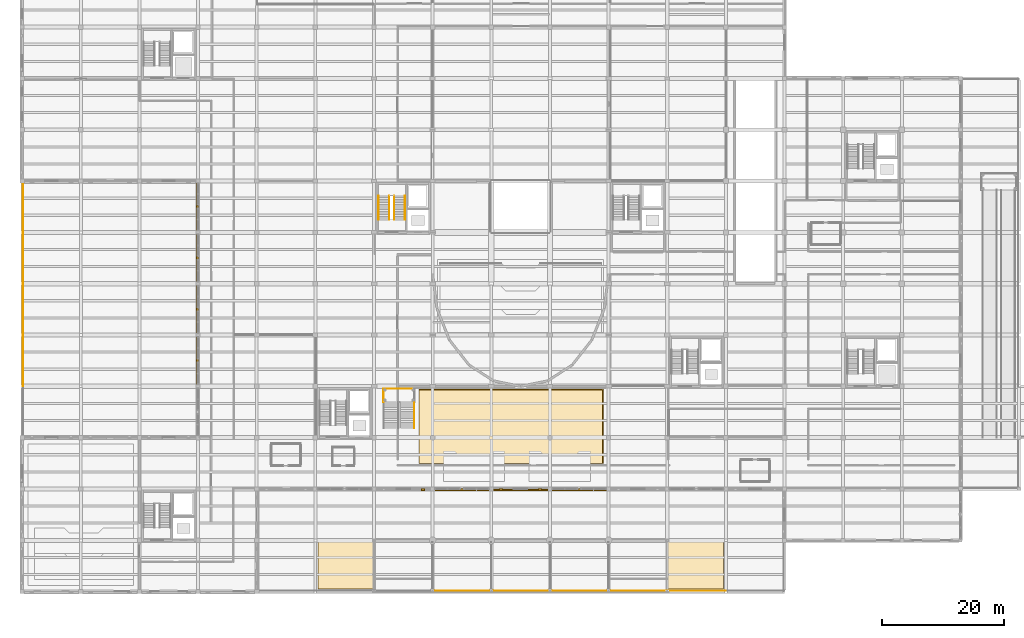
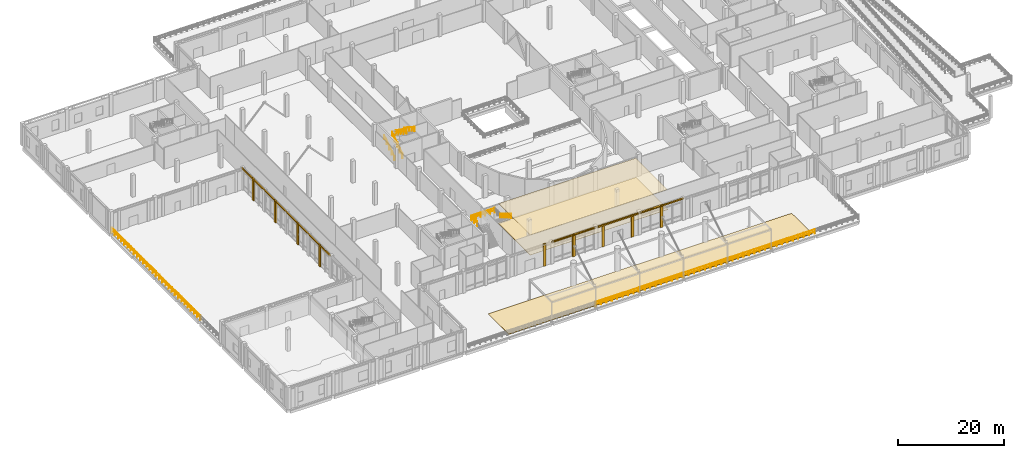
# One storey, part 63 of 71: 19 coverings, 16 railings.
"""IFC4 building model written with IfcOpenShell, lengths in metres."""

from ifc_helpers import new_model, si_unit, direction, frame, origin, origin_2d, place, context, subcontext, project, spatial, polyline, circle, outline, extrude, material, layer, layer_set, type_object, element, save


model = new_model("IFC4")

# Units and contexts
model_context = context("Model", 3, precision=1e-05, world=origin(), true_north=direction((0.0, 1.0)))
body_context = subcontext(model_context, "Body", "Model", "MODEL_VIEW")
ifc_project = project(units=[si_unit("LENGTHUNIT", "METRE"), si_unit("AREAUNIT", "SQUARE_METRE"), si_unit("VOLUMEUNIT", "CUBIC_METRE"), si_unit("PLANEANGLEUNIT", "RADIAN"), si_unit("MASSUNIT", "GRAM", prefix="KILO")], contexts=[model_context])

# Site, building, storey
site_placement = place(None, origin())
site = spatial("IfcSite", under=ifc_project, at=site_placement, CompositionType="ELEMENT")
building_placement = place(site_placement, origin())
building = spatial("IfcBuilding", under=site, at=building_placement, Name="Lornevale Opera House", CompositionType="ELEMENT")
storey_placement = place(building_placement, origin())
storey = spatial("IfcBuildingStorey", under=building, at=storey_placement, Name="L01", CompositionType="ELEMENT", Elevation=0.0)

# Railings
ifc_material_1 = material(Name="Structural Steel CSA G40.21 Grade 350W (350 MPa)", Category="steel")
ifc_layer_1 = layer(ifc_material_1, 0.06005859375)
ifc_layer_set_1 = layer_set([ifc_layer_1], Name="Structural Steel CSA G40.21 Grade 350W (350 MPa)")
railing_type_1 = type_object("IfcRailingType", Name="Atrium Acoustic Balustrade 1120", PredefinedType="BALUSTRADE", material=ifc_layer_set_1)
railing_1_placement = place(storey_placement, frame((59.14990234375, 33.219970703125, 2.699951171875)))
element("IfcRailing", 1, at=railing_1_placement, inside=storey, type_object=railing_type_1, Name="Grand Stair Landing Guard 0207", PredefinedType="BALUSTRADE", context=body_context, shape_type="SweptSolid", body=[
    extrude(circle(Radius=0.02392578125, at=origin_2d()), frame((0.0, 0.0, 1.09619140625), z_axis=(1.0, 0.0, 0.0), x_axis=(0.0, 1.0, 0.0)), (0.0, 0.0, 1.0), 5.10009765625),
    extrude(circle(Radius=0.02392578125, at=origin_2d()), frame((0.0, 0.0, 0.56005859375), z_axis=(1.0, 0.0, 0.0), x_axis=(0.0, 1.0, 0.0)), (0.0, 0.0, 1.0), 5.10009765625),
    extrude(circle(Radius=0.02099609375, at=origin_2d()), origin(), (0.0, 0.0, 1.0), 1.072021484375),
    extrude(circle(Radius=0.02099609375, at=origin_2d()), frame((1.02001953125, 0.0, 0.0)), (0.0, 0.0, 1.0), 1.072021484375),
    extrude(circle(Radius=0.02099609375, at=origin_2d()), frame((2.0400390625, 0.0, 0.0)), (0.0, 0.0, 1.0), 1.072021484375),
    extrude(circle(Radius=0.02099609375, at=origin_2d()), frame((3.06005859375, 0.0, 0.0)), (0.0, 0.0, 1.0), 1.072021484375),
    extrude(circle(Radius=0.02099609375, at=origin_2d()), frame((4.080078125, 0.0, 0.0)), (0.0, 0.0, 1.0), 1.072021484375),
    extrude(circle(Radius=0.02099609375, at=origin_2d()), frame((5.10009765625, 0.0, 0.0)), (0.0, 0.0, 1.0), 1.072021484375),
])
railing_2_placement = place(storey_placement, frame((59.14990234375, 31.0, 2.699951171875)))
element("IfcRailing", 2, at=railing_2_placement, inside=storey, type_object=railing_type_1, Name="Grand Stair Landing Guard 0208", PredefinedType="BALUSTRADE", context=body_context, shape_type="SweptSolid", body=[
    extrude(circle(Radius=0.02392578125, at=origin_2d()), frame((0.0, 0.0, 1.09619140625), z_axis=(0.0, 1.0, 0.0), x_axis=(-1.0, 0.0, 0.0)), (0.0, 0.0, 1.0), 2.219970703125),
    extrude(circle(Radius=0.02392578125, at=origin_2d()), frame((0.0, 0.0, 0.56005859375), z_axis=(0.0, 1.0, 0.0), x_axis=(-1.0, 0.0, 0.0)), (0.0, 0.0, 1.0), 2.219970703125),
    extrude(circle(Radius=0.02099609375, at=origin_2d()), origin(), (0.0, 0.0, 1.0), 1.072021484375),
    extrude(circle(Radius=0.02099609375, at=origin_2d()), frame((0.0, 1.10986328125, 0.0)), (0.0, 0.0, 1.0), 1.072021484375),
    extrude(circle(Radius=0.02099609375, at=origin_2d()), frame((0.0, 2.219970703125, 0.0)), (0.0, 0.0, 1.0), 1.072021484375),
])

# Coverings
ifc_material_2 = material(Name="Precast Concrete 40 MPa (CSA A23.1 C-1)", Category="concrete")
ifc_layer_2 = layer(ifc_material_2, 0.260009765625)
ifc_layer_set_2 = layer_set([ifc_layer_2], Name="Precast Concrete 40 MPa (CSA A23.1 C-1)")
covering_type_1 = type_object("IfcCoveringType", Name="Postmodern Sandstone Pilaster Rib", PredefinedType="CLADDING", material=ifc_layer_set_2)
covering_1_placement = place(storey_placement, origin())
element("IfcCovering", 3, at=covering_1_placement, inside=storey, type_object=covering_type_1, Name="Postmodern Sandstone Mullion Pier 0069", PredefinedType="CLADDING", context=body_context, shape_type="SweptSolid", body=[
    extrude(outline(polyline([(28.800048828125, 37.52001953125), (28.800048828125, 38.080078125), (28.52001953125, 38.080078125), (28.52001953125, 37.52001953125), (28.800048828125, 37.52001953125)])), origin(), (0.0, 0.0, 1.0), 5.10009765625),
])
covering_2_placement = place(storey_placement, origin())
element("IfcCovering", 4, at=covering_2_placement, inside=storey, type_object=covering_type_1, Name="Postmodern Sandstone Mullion Pier 0071", PredefinedType="CLADDING", context=body_context, shape_type="SweptSolid", body=[
    extrude(outline(polyline([(28.800048828125, 45.919921875), (28.800048828125, 46.47998046875), (28.52001953125, 46.47998046875), (28.52001953125, 45.919921875), (28.800048828125, 45.919921875)])), origin(), (0.0, 0.0, 1.0), 5.10009765625),
])
covering_3_placement = place(storey_placement, origin())
element("IfcCovering", 5, at=covering_3_placement, inside=storey, type_object=covering_type_1, Name="Postmodern Sandstone Mullion Pier 0073", PredefinedType="CLADDING", context=body_context, shape_type="SweptSolid", body=[
    extrude(outline(polyline([(28.800048828125, 54.320068359375), (28.800048828125, 54.8798828125), (28.52001953125, 54.8798828125), (28.52001953125, 54.320068359375), (28.800048828125, 54.320068359375)])), origin(), (0.0, 0.0, 1.0), 5.10009765625),
])
covering_4_placement = place(storey_placement, origin())
element("IfcCovering", 6, at=covering_4_placement, inside=storey, type_object=covering_type_1, Name="Postmodern Sandstone Mullion Pier 0075", PredefinedType="CLADDING", context=body_context, shape_type="SweptSolid", body=[
    extrude(outline(polyline([(28.800048828125, 62.719970703125), (28.800048828125, 63.280029296875), (28.52001953125, 63.280029296875), (28.52001953125, 62.719970703125), (28.800048828125, 62.719970703125)])), origin(), (0.0, 0.0, 1.0), 5.10009765625),
])
covering_5_placement = place(storey_placement, origin())
element("IfcCovering", 7, at=covering_5_placement, inside=storey, type_object=covering_type_1, Name="Postmodern Sandstone Pilaster 0094", PredefinedType="CLADDING", context=body_context, shape_type="SweptSolid", body=[
    extrude(outline(polyline([(65.884033203125, 16.800048828125), (65.323974609375, 16.800048828125), (65.323974609375, 16.52001953125), (65.884033203125, 16.52001953125), (65.884033203125, 16.800048828125)])), origin(), (0.0, 0.0, 1.0), 5.10009765625),
])
covering_6_placement = place(storey_placement, origin())
element("IfcCovering", 8, at=covering_6_placement, inside=storey, type_object=covering_type_1, Name="Postmodern Sandstone Mullion Pier 0100", PredefinedType="CLADDING", context=body_context, shape_type="SweptSolid", body=[
    extrude(outline(polyline([(72.280029296875, 16.800048828125), (71.719970703125, 16.800048828125), (71.719970703125, 16.52001953125), (72.280029296875, 16.52001953125), (72.280029296875, 16.800048828125)])), origin(), (0.0, 0.0, 1.0), 5.10009765625),
])
covering_7_placement = place(storey_placement, origin())
element("IfcCovering", 9, at=covering_7_placement, inside=storey, type_object=covering_type_1, Name="Postmodern Sandstone Pilaster 0105", PredefinedType="CLADDING", context=body_context, shape_type="SweptSolid", body=[
    extrude(outline(polyline([(85.083984375, 16.800048828125), (84.52392578125, 16.800048828125), (84.52392578125, 16.52001953125), (85.083984375, 16.52001953125), (85.083984375, 16.800048828125)])), origin(), (0.0, 0.0, 1.0), 5.10009765625),
])
covering_8_placement = place(storey_placement, origin())
element("IfcCovering", 10, at=covering_8_placement, inside=storey, type_object=covering_type_1, Name="Postmodern Sandstone Pilaster 0106", PredefinedType="CLADDING", context=body_context, shape_type="SweptSolid", body=[
    extrude(outline(polyline([(78.676025390625, 16.800048828125), (78.115966796875, 16.800048828125), (78.115966796875, 16.52001953125), (78.676025390625, 16.52001953125), (78.676025390625, 16.800048828125)])), origin(), (0.0, 0.0, 1.0), 5.10009765625),
])
covering_9_placement = place(storey_placement, origin())
element("IfcCovering", 11, at=covering_9_placement, inside=storey, type_object=covering_type_1, Name="Postmodern Sandstone Mullion Pier 0111", PredefinedType="CLADDING", context=body_context, shape_type="SweptSolid", body=[
    extrude(outline(polyline([(91.47998046875, 16.800048828125), (90.919921875, 16.800048828125), (90.919921875, 16.52001953125), (91.47998046875, 16.52001953125), (91.47998046875, 16.800048828125)])), origin(), (0.0, 0.0, 1.0), 5.10009765625),
])
ifc_material_3 = material(Name="Queenston Buff Limestone Ashlar Masonry (25 MPa)", Category="masonry")
ifc_layer_3 = layer(ifc_material_3, 0.1201171875)
ifc_layer_set_3 = layer_set([ifc_layer_3], Name="Queenston Buff Limestone Ashlar Masonry (25 MPa)")
covering_type_2 = type_object("IfcCoveringType", Name="Precast Limestone Cornice Band", PredefinedType="CLADDING", material=ifc_layer_set_3)
covering_10_placement = place(storey_placement, frame((0.0, 0.0, 4.840087890625)))
element("IfcCovering", 12, at=covering_10_placement, inside=storey, type_object=covering_type_2, Name="Precast Limestone Cornice Band 0070", PredefinedType="CLADDING", context=body_context, shape_type="SweptSolid", body=[
    extrude(outline(polyline([(28.719970703125, 33.60009765625), (28.719970703125, 42.0), (28.47998046875, 42.0), (28.47998046875, 33.60009765625), (28.719970703125, 33.60009765625)])), origin(), (0.0, 0.0, 1.0), 0.260009765625),
])
covering_11_placement = place(storey_placement, frame((0.0, 0.0, 4.840087890625)))
element("IfcCovering", 13, at=covering_11_placement, inside=storey, type_object=covering_type_2, Name="Precast Limestone Cornice Band 0072", PredefinedType="CLADDING", context=body_context, shape_type="SweptSolid", body=[
    extrude(outline(polyline([(28.719970703125, 42.0), (28.719970703125, 50.39990234375), (28.47998046875, 50.39990234375), (28.47998046875, 42.0), (28.719970703125, 42.0)])), origin(), (0.0, 0.0, 1.0), 0.260009765625),
])
covering_12_placement = place(storey_placement, frame((0.0, 0.0, 4.840087890625)))
element("IfcCovering", 14, at=covering_12_placement, inside=storey, type_object=covering_type_2, Name="Precast Limestone Cornice Band 0074", PredefinedType="CLADDING", context=body_context, shape_type="SweptSolid", body=[
    extrude(outline(polyline([(28.719970703125, 50.39990234375), (28.719970703125, 58.800048828125), (28.47998046875, 58.800048828125), (28.47998046875, 50.39990234375), (28.719970703125, 50.39990234375)])), origin(), (0.0, 0.0, 1.0), 0.260009765625),
])
covering_13_placement = place(storey_placement, frame((0.0, 0.0, 4.840087890625)))
element("IfcCovering", 15, at=covering_13_placement, inside=storey, type_object=covering_type_2, Name="Precast Limestone Cornice Band 0076", PredefinedType="CLADDING", context=body_context, shape_type="SweptSolid", body=[
    extrude(outline(polyline([(28.719970703125, 58.800048828125), (28.719970703125, 67.199951171875), (28.47998046875, 67.199951171875), (28.47998046875, 58.800048828125), (28.719970703125, 58.800048828125)])), origin(), (0.0, 0.0, 1.0), 0.260009765625),
])
covering_14_placement = place(storey_placement, frame((0.0, 0.0, 4.840087890625)))
element("IfcCovering", 16, at=covering_14_placement, inside=storey, type_object=covering_type_2, Name="Precast Limestone Cornice Band 0101", PredefinedType="CLADDING", context=body_context, shape_type="SweptSolid", body=[
    extrude(outline(polyline([(76.800048828125, 16.719970703125), (67.199951171875, 16.719970703125), (67.199951171875, 16.47998046875), (76.800048828125, 16.47998046875), (76.800048828125, 16.719970703125)])), origin(), (0.0, 0.0, 1.0), 0.260009765625),
])
covering_15_placement = place(storey_placement, frame((0.0, 0.0, 4.820068359375)))
element("IfcCovering", 17, at=covering_15_placement, inside=storey, type_object=covering_type_2, Name="Precast Limestone Cornice Band 0107", PredefinedType="CLADDING", context=body_context, shape_type="SweptSolid", body=[
    extrude(outline(polyline([(86.050048828125, 16.739990234375), (77.14990234375, 16.739990234375), (77.14990234375, 16.47998046875), (86.050048828125, 16.47998046875), (86.050048828125, 16.739990234375)])), origin(), (0.0, 0.0, 1.0), 0.280029296875),
])
covering_16_placement = place(storey_placement, frame((0.0, 0.0, 4.840087890625)))
element("IfcCovering", 18, at=covering_16_placement, inside=storey, type_object=covering_type_2, Name="Precast Limestone Cornice Band 0112", PredefinedType="CLADDING", context=body_context, shape_type="SweptSolid", body=[
    extrude(outline(polyline([(96.0, 16.719970703125), (86.39990234375, 16.719970703125), (86.39990234375, 16.47998046875), (96.0, 16.47998046875), (96.0, 16.719970703125)])), origin(), (0.0, 0.0, 1.0), 0.260009765625),
])
ifc_material_4 = material(Name="Credit Valley Sandstone Ashlar Masonry (25 MPa)", Category="masonry")
ifc_layer_4 = layer(ifc_material_4, 0.054931640625)
ifc_layer_set_4 = layer_set([ifc_layer_4], Name="Credit Valley Sandstone Ashlar Masonry (25 MPa)")
covering_type_3 = type_object("IfcCoveringType", Name="Sandstone Forecourt Paving", PredefinedType="FLOORING", material=ifc_layer_set_4)
covering_17_placement = place(storey_placement, origin())
element("IfcCovering", 19, at=covering_17_placement, inside=storey, type_object=covering_type_3, Name="South Forecourt Sandstone Drop-Off Paving", PredefinedType="FLOORING", context=body_context, shape_type="SweptSolid", body=[
    extrude(outline(polyline([(48.39990234375, 0.39990234375), (114.800048828125, 0.39990234375), (114.800048828125, 8.199951171875), (48.39990234375, 8.199951171875), (48.39990234375, 0.39990234375)])), origin(), (0.0, 0.0, 1.0), 0.054931640625),
])
covering_18_placement = place(storey_placement, origin())
element("IfcCovering", 20, at=covering_18_placement, inside=storey, type_object=covering_type_3, Name="Architectural Stone & Timber Flooring 04", PredefinedType="FLOORING", context=body_context, shape_type="SweptSolid", body=[
    extrude(outline(polyline([(65.0, 21.0), (95.199951171875, 21.0), (95.199951171875, 33.199951171875), (65.0, 33.199951171875), (65.0, 21.0)])), origin(), (0.0, 0.0, 1.0), 0.054931640625),
])

# Railings
ifc_layer_5 = layer(ifc_material_1, 0.050048828125)
ifc_layer_set_5 = layer_set([ifc_layer_5], Name="Structural Steel CSA G40.21 Grade 350W (350 MPa)")
railing_type_2 = type_object("IfcRailingType", Name="Stair Well Guardrail 1100", PredefinedType="GUARDRAIL", material=ifc_layer_set_5)
railing_3_placement = place(storey_placement, frame((60.080078125, 60.860107421875, 0.0)))
element("IfcRailing", 21, at=railing_3_placement, inside=storey, type_object=railing_type_2, Name="ST-16 Inner Well Guard F1", PredefinedType="GUARDRAIL", context=body_context, shape_type="SweptSolid", body=[
    extrude(circle(Radius=0.02392578125, at=origin_2d()), frame((0.0, 0.0, 1.076171875), z_axis=(0.0, 0.823550731654, 0.567242622158), x_axis=(-1.0, 0.0, 0.0)), (0.0, 0.0, 1.0), 4.759765625),
    extrude(circle(Radius=0.02392578125, at=origin_2d()), frame((0.0, 0.0, 0.550048828125), z_axis=(0.0, 0.823550731654, 0.567242622158), x_axis=(-1.0, 0.0, 0.0)), (0.0, 0.0, 1.0), 4.759765625),
    extrude(circle(Radius=0.02099609375, at=origin_2d()), origin(), (0.0, 0.0, 1.0), 1.052001953125),
    extrude(circle(Radius=0.02099609375, at=origin_2d()), frame((0.0, 0.97998046875, 0.675048828125)), (0.0, 0.0, 1.0), 1.052001953125),
    extrude(circle(Radius=0.02099609375, at=origin_2d()), frame((0.0, 1.9599609375, 1.35009765625)), (0.0, 0.0, 1.0), 1.052001953125),
    extrude(circle(Radius=0.02099609375, at=origin_2d()), frame((0.0, 2.93994140625, 2.02490234375)), (0.0, 0.0, 1.0), 1.052001953125),
    extrude(circle(Radius=0.02099609375, at=origin_2d()), frame((0.0, 3.919921875, 2.699951171875)), (0.0, 0.0, 1.0), 1.052001953125),
])
railing_4_placement = place(storey_placement, frame((60.919921875, 64.780029296875, 2.699951171875)))
element("IfcRailing", 22, at=railing_4_placement, inside=storey, type_object=railing_type_2, Name="ST-16 Inner Well Guard F2", PredefinedType="GUARDRAIL", context=body_context, shape_type="SweptSolid", body=[
    extrude(circle(Radius=0.02392578125, at=origin_2d()), frame((0.0, 0.0, 1.076171875), z_axis=(0.0, -0.823550731654, 0.567242622158), x_axis=(1.0, 0.0, 0.0)), (0.0, 0.0, 1.0), 4.759765625),
    extrude(circle(Radius=0.02392578125, at=origin_2d()), frame((0.0, 0.0, 0.550048828125), z_axis=(0.0, -0.823550731654, 0.567242622158), x_axis=(1.0, 0.0, 0.0)), (0.0, 0.0, 1.0), 4.759765625),
    extrude(circle(Radius=0.02099609375, at=origin_2d()), origin(), (0.0, 0.0, 1.0), 1.052001953125),
    extrude(circle(Radius=0.02099609375, at=origin_2d()), frame((0.0, -0.97998046875, 0.675048828125)), (0.0, 0.0, 1.0), 1.052001953125),
    extrude(circle(Radius=0.02099609375, at=origin_2d()), frame((0.0, -1.9599609375, 1.35009765625)), (0.0, 0.0, 1.0), 1.052001953125),
    extrude(circle(Radius=0.02099609375, at=origin_2d()), frame((0.0, -2.93994140625, 2.02490234375)), (0.0, 0.0, 1.0), 1.052001953125),
    extrude(circle(Radius=0.02099609375, at=origin_2d()), frame((0.0, -3.919921875, 2.699951171875)), (0.0, 0.0, 1.0), 1.052001953125),
])
ifc_layer_6 = layer(ifc_material_1, 0.06005859375)
ifc_layer_set_6 = layer_set([ifc_layer_6], Name="Structural Steel CSA G40.21 Grade 350W (350 MPa)")
railing_type_3 = type_object("IfcRailingType", Name="Terrace Tubular Guardrail 1120", PredefinedType="GUARDRAIL", material=ifc_layer_set_6)
for number, where, name in (
    (23, (0.139892578125, 33.64990234375, 0.0), "Terrace Perimeter Guard L01 0260"),
    (24, (0.139892578125, 42.050048828125, 0.0), "Terrace Perimeter Guard L01 0261"),
    (25, (0.139892578125, 50.449951171875, 0.0), "Terrace Perimeter Guard L01 0262"),
):
    element("IfcRailing", number, at=place(storey_placement, frame(where)), inside=storey, type_object=railing_type_3, Name=name, PredefinedType="GUARDRAIL", context=body_context, shape_type="SweptSolid", body=[
        extrude(circle(Radius=0.02392578125, at=origin_2d()), frame((0.0, 0.0, 1.09619140625), z_axis=(0.0, 1.0, 0.0), x_axis=(-1.0, 0.0, 0.0)), (0.0, 0.0, 1.0), 8.300048828125),
        extrude(circle(Radius=0.02392578125, at=origin_2d()), frame((0.0, 0.0, 0.56005859375), z_axis=(0.0, 1.0, 0.0), x_axis=(-1.0, 0.0, 0.0)), (0.0, 0.0, 1.0), 8.300048828125),
        extrude(circle(Radius=0.02099609375, at=origin_2d()), origin(), (0.0, 0.0, 1.0), 1.072021484375),
        extrude(circle(Radius=0.02099609375, at=origin_2d()), frame((0.0, 1.185791015625, 0.0)), (0.0, 0.0, 1.0), 1.072021484375),
        extrude(circle(Radius=0.02099609375, at=origin_2d()), frame((0.0, 2.371337890625, 0.0)), (0.0, 0.0, 1.0), 1.072021484375),
        extrude(circle(Radius=0.02099609375, at=origin_2d()), frame((0.0, 3.55712890625, 0.0)), (0.0, 0.0, 1.0), 1.072021484375),
        extrude(circle(Radius=0.02099609375, at=origin_2d()), frame((0.0, 4.742919921875, 0.0)), (0.0, 0.0, 1.0), 1.072021484375),
        extrude(circle(Radius=0.02099609375, at=origin_2d()), frame((0.0, 5.9287109375, 0.0)), (0.0, 0.0, 1.0), 1.072021484375),
        extrude(circle(Radius=0.02099609375, at=origin_2d()), frame((0.0, 7.1142578125, 0.0)), (0.0, 0.0, 1.0), 1.072021484375),
        extrude(circle(Radius=0.02099609375, at=origin_2d()), frame((0.0, 8.300048828125, 0.0)), (0.0, 0.0, 1.0), 1.072021484375),
    ])
railing_5_placement = place(storey_placement, frame((0.139892578125, 58.85009765625, 0.0)))
element("IfcRailing", 26, at=railing_5_placement, inside=storey, type_object=railing_type_3, Name="Terrace Perimeter Guard L01 0263", PredefinedType="GUARDRAIL", context=body_context, shape_type="SweptSolid", body=[
    extrude(circle(Radius=0.02392578125, at=origin_2d()), frame((0.0, 0.0, 1.09619140625), z_axis=(0.0, 1.0, 0.0), x_axis=(-1.0, 0.0, 0.0)), (0.0, 0.0, 1.0), 8.2998046875),
    extrude(circle(Radius=0.02392578125, at=origin_2d()), frame((0.0, 0.0, 0.56005859375), z_axis=(0.0, 1.0, 0.0), x_axis=(-1.0, 0.0, 0.0)), (0.0, 0.0, 1.0), 8.2998046875),
    extrude(circle(Radius=0.02099609375, at=origin_2d()), origin(), (0.0, 0.0, 1.0), 1.072021484375),
    extrude(circle(Radius=0.02099609375, at=origin_2d()), frame((0.0, 1.185791015625, 0.0)), (0.0, 0.0, 1.0), 1.072021484375),
    extrude(circle(Radius=0.02099609375, at=origin_2d()), frame((0.0, 2.371337890625, 0.0)), (0.0, 0.0, 1.0), 1.072021484375),
    extrude(circle(Radius=0.02099609375, at=origin_2d()), frame((0.0, 3.55712890625, 0.0)), (0.0, 0.0, 1.0), 1.072021484375),
    extrude(circle(Radius=0.02099609375, at=origin_2d()), frame((0.0, 4.74267578125, 0.0)), (0.0, 0.0, 1.0), 1.072021484375),
    extrude(circle(Radius=0.02099609375, at=origin_2d()), frame((0.0, 5.928466796875, 0.0)), (0.0, 0.0, 1.0), 1.072021484375),
    extrude(circle(Radius=0.02099609375, at=origin_2d()), frame((0.0, 7.114013671875, 0.0)), (0.0, 0.0, 1.0), 1.072021484375),
    extrude(circle(Radius=0.02099609375, at=origin_2d()), frame((0.0, 8.2998046875, 0.0)), (0.0, 0.0, 1.0), 1.072021484375),
])
for number, where, name in (
    (27, (67.25, 0.139892578125, 0.0), "Terrace Perimeter Guard L01 0271"),
    (28, (76.85009765625, 0.139892578125, 0.0), "Terrace Perimeter Guard L01 0273"),
    (29, (86.449951171875, 0.139892578125, 0.0), "Terrace Perimeter Guard L01 0275"),
    (30, (96.050048828125, 0.139892578125, 0.0), "Terrace Perimeter Guard L01 0277"),
    (31, (105.64990234375, 0.139892578125, 0.0), "Terrace Perimeter Guard L01 0279"),
):
    element("IfcRailing", number, at=place(storey_placement, frame(where)), inside=storey, type_object=railing_type_3, Name=name, PredefinedType="GUARDRAIL", context=body_context, shape_type="SweptSolid", body=[
        extrude(circle(Radius=0.02392578125, at=origin_2d()), frame((0.0, 0.0, 1.09619140625), z_axis=(1.0, 0.0, 0.0), x_axis=(0.0, 1.0, 0.0)), (0.0, 0.0, 1.0), 9.5),
        extrude(circle(Radius=0.02392578125, at=origin_2d()), frame((0.0, 0.0, 0.56005859375), z_axis=(1.0, 0.0, 0.0), x_axis=(0.0, 1.0, 0.0)), (0.0, 0.0, 1.0), 9.5),
        extrude(circle(Radius=0.02099609375, at=origin_2d()), origin(), (0.0, 0.0, 1.0), 1.072021484375),
        extrude(circle(Radius=0.02099609375, at=origin_2d()), frame((1.1875, 0.0, 0.0)), (0.0, 0.0, 1.0), 1.072021484375),
        extrude(circle(Radius=0.02099609375, at=origin_2d()), frame((2.375, 0.0, 0.0)), (0.0, 0.0, 1.0), 1.072021484375),
        extrude(circle(Radius=0.02099609375, at=origin_2d()), frame((3.5625, 0.0, 0.0)), (0.0, 0.0, 1.0), 1.072021484375),
        extrude(circle(Radius=0.02099609375, at=origin_2d()), frame((4.75, 0.0, 0.0)), (0.0, 0.0, 1.0), 1.072021484375),
        extrude(circle(Radius=0.02099609375, at=origin_2d()), frame((5.9375, 0.0, 0.0)), (0.0, 0.0, 1.0), 1.072021484375),
        extrude(circle(Radius=0.02099609375, at=origin_2d()), frame((7.125, 0.0, 0.0)), (0.0, 0.0, 1.0), 1.072021484375),
        extrude(circle(Radius=0.02099609375, at=origin_2d()), frame((8.3125, 0.0, 0.0)), (0.0, 0.0, 1.0), 1.072021484375),
        extrude(circle(Radius=0.02099609375, at=origin_2d()), frame((9.5, 0.0, 0.0)), (0.0, 0.0, 1.0), 1.072021484375),
    ])
ifc_layer_7 = layer(ifc_material_1, 0.048095703125)
ifc_layer_set_7 = layer_set([ifc_layer_7], Name="Structural Steel CSA G40.21 Grade 350W (350 MPa)")
railing_type_4 = type_object("IfcRailingType", Name="Tubular Stair Handrail 915", PredefinedType="HANDRAIL", material=ifc_layer_set_7)
railing_6_placement = place(storey_placement, frame((58.320068359375, 60.860107421875, 0.18310546875)))
element("IfcRailing", 32, at=railing_6_placement, inside=storey, type_object=railing_type_4, Name="ST-16 Outer Handrail F1", PredefinedType="HANDRAIL", context=body_context, shape_type="SweptSolid", body=[
    extrude(circle(Radius=0.02392578125, at=origin_2d()), frame((0.0, 0.0, 0.89111328125), z_axis=(0.0, 0.84119549742, 0.540731111663), x_axis=(-1.0, 0.0, 0.0)), (0.0, 0.0, 1.0), 4.659912109375),
    extrude(circle(Radius=0.02099609375, at=origin_2d()), origin(), (0.0, 0.0, 1.0), 0.866943359375),
    extrude(circle(Radius=0.02099609375, at=origin_2d()), frame((0.0, 0.97998046875, 0.6298828125)), (0.0, 0.0, 1.0), 0.866943359375),
    extrude(circle(Radius=0.02099609375, at=origin_2d()), frame((0.0, 1.9599609375, 1.259765625)), (0.0, 0.0, 1.0), 0.866943359375),
    extrude(circle(Radius=0.02099609375, at=origin_2d()), frame((0.0, 2.93994140625, 1.889892578125)), (0.0, 0.0, 1.0), 0.866943359375),
    extrude(circle(Radius=0.02099609375, at=origin_2d()), frame((0.0, 3.919921875, 2.519775390625)), (0.0, 0.0, 1.0), 0.866943359375),
])
railing_7_placement = place(storey_placement, frame((62.679931640625, 64.780029296875, 2.883056640625)))
element("IfcRailing", 33, at=railing_7_placement, inside=storey, type_object=railing_type_4, Name="ST-16 Outer Handrail F2", PredefinedType="HANDRAIL", context=body_context, shape_type="SweptSolid", body=[
    extrude(circle(Radius=0.02392578125, at=origin_2d()), frame((0.0, 0.0, 0.89111328125), z_axis=(0.0, -0.841171666519, 0.540768182723), x_axis=(1.0, 0.0, 0.0)), (0.0, 0.0, 1.0), 4.66015625),
    extrude(circle(Radius=0.02099609375, at=origin_2d()), origin(), (0.0, 0.0, 1.0), 0.866943359375),
    extrude(circle(Radius=0.02099609375, at=origin_2d()), frame((0.0, -0.97998046875, 0.6298828125)), (0.0, 0.0, 1.0), 0.866943359375),
    extrude(circle(Radius=0.02099609375, at=origin_2d()), frame((0.0, -1.9599609375, 1.260009765625)), (0.0, 0.0, 1.0), 0.866943359375),
    extrude(circle(Radius=0.02099609375, at=origin_2d()), frame((0.0, -2.93994140625, 1.89013671875)), (0.0, 0.0, 1.0), 0.866943359375),
    extrude(circle(Radius=0.02099609375, at=origin_2d()), frame((0.0, -3.919921875, 2.52001953125)), (0.0, 0.0, 1.0), 0.866943359375),
])
railing_8_placement = place(storey_placement, frame((64.199951171875, 31.0, 2.883056640625)))
element("IfcRailing", 34, at=railing_8_placement, inside=storey, type_object=railing_type_4, Name="Grand Stair Handrail 0206", PredefinedType="HANDRAIL", context=body_context, shape_type="SweptSolid", body=[
    extrude(circle(Radius=0.02392578125, at=origin_2d()), frame((0.0, 0.0, 0.89111328125), z_axis=(0.0, -0.857488527567, 0.514503085598), x_axis=(1.0, 0.0, 0.0)), (0.0, 0.0, 1.0), 4.89794921875),
    extrude(circle(Radius=0.02099609375, at=origin_2d()), origin(), (0.0, 0.0, 1.0), 0.866943359375),
    extrude(circle(Radius=0.02099609375, at=origin_2d()), frame((0.0, -0.840087890625, 0.50390625)), (0.0, 0.0, 1.0), 0.866943359375),
    extrude(circle(Radius=0.02099609375, at=origin_2d()), frame((0.0, -1.679931640625, 1.008056640625)), (0.0, 0.0, 1.0), 0.866943359375),
    extrude(circle(Radius=0.02099609375, at=origin_2d()), frame((0.0, -2.52001953125, 1.511962890625)), (0.0, 0.0, 1.0), 0.866943359375),
    extrude(circle(Radius=0.02099609375, at=origin_2d()), frame((0.0, -3.35986328125, 2.01611328125)), (0.0, 0.0, 1.0), 0.866943359375),
    extrude(circle(Radius=0.02099609375, at=origin_2d()), frame((0.0, -4.199951171875, 2.52001953125)), (0.0, 0.0, 1.0), 0.866943359375),
])

# Covering
ifc_material_5 = material(Name="White Oak Acoustic Panelling", Category="wood")
ifc_layer_8 = layer(ifc_material_5, 0.050048828125)
ifc_layer_set_8 = layer_set([ifc_layer_8], Name="White Oak Acoustic Panelling")
covering_type_4 = type_object("IfcCoveringType", Name="White Oak Acoustic Ceiling Liner", PredefinedType="CEILING", material=ifc_layer_set_8)
covering_19_placement = place(storey_placement, frame((0.0, 0.0, 4.64990234375)))
element("IfcCovering", 35, at=covering_19_placement, inside=storey, type_object=covering_type_4, Name="White Oak Acoustic Ceiling Liner 01", PredefinedType="CEILING", context=body_context, shape_type="SweptSolid", body=[
    extrude(outline(polyline([(65.0, 21.0), (95.0, 21.0), (95.0, 33.0), (65.0, 33.0), (65.0, 21.0)])), origin(), (0.0, 0.0, 1.0), 0.050048828125),
])

save(model, "model.ifc")
